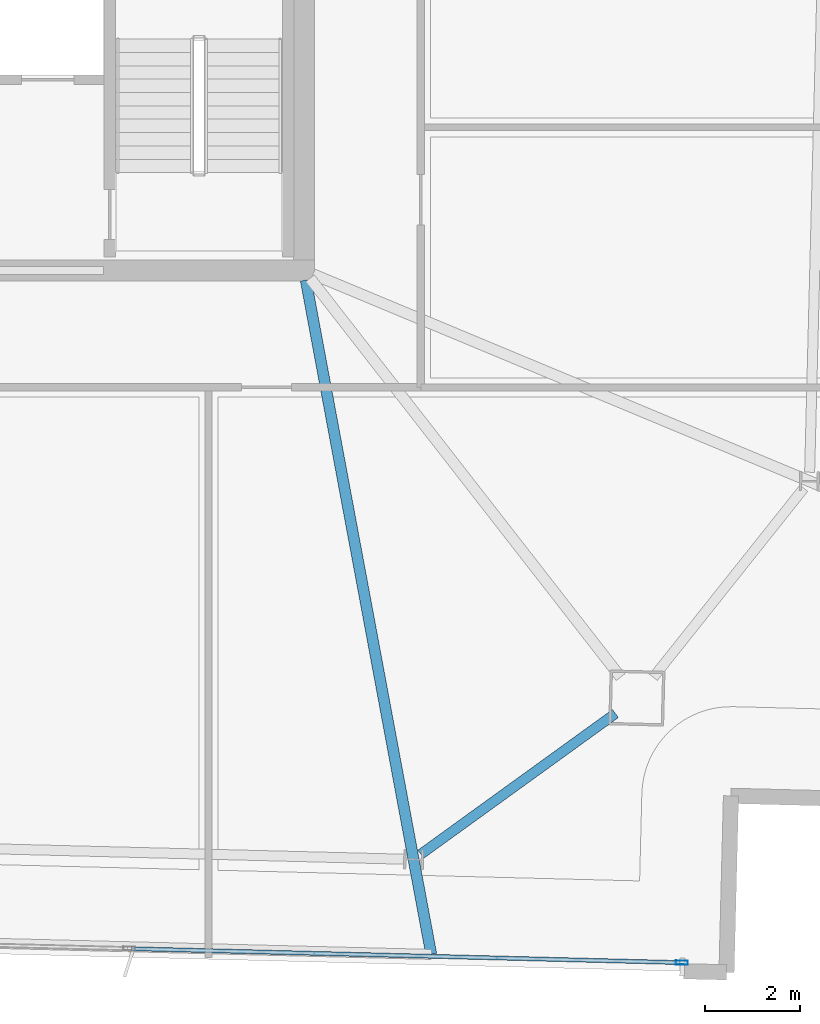
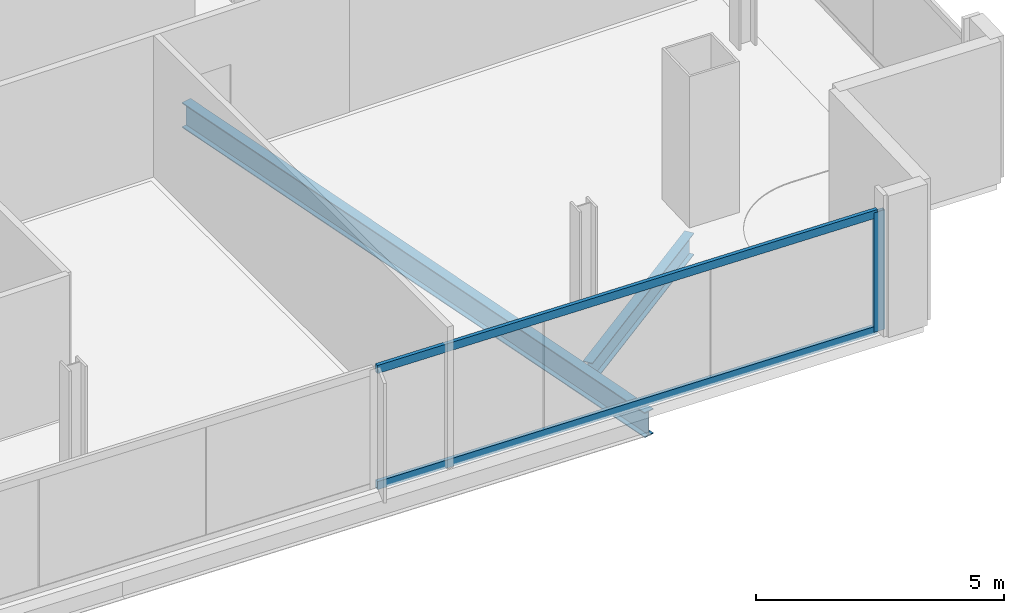
# One storey, part 8 of 25: 3 members, 2 beams, 1 element without a shape of its own.
"""IFC4 building model written with IfcOpenShell, lengths in metres."""

from ifc_helpers import new_model, si_unit, direction, frame, origin, origin_2d, place, context, subcontext, project, spatial, hollow_rectangle, i_section, extrude, material, material_profile, profile_set, type_object, element, aggregate, save


model = new_model("IFC4")

# Units and contexts
model_context = context("Model", 3, precision=1e-05, world=origin(), true_north=direction((0.0, 1.0)))
body_context = subcontext(model_context, "Body", "Model", "MODEL_VIEW")
ifc_project = project(units=[si_unit("LENGTHUNIT", "METRE"), si_unit("AREAUNIT", "SQUARE_METRE"), si_unit("VOLUMEUNIT", "CUBIC_METRE"), si_unit("PLANEANGLEUNIT", "RADIAN"), si_unit("MASSUNIT", "GRAM", prefix="KILO")], contexts=[model_context])

# Site, building, storey
site_placement = place(None, origin())
site = spatial("IfcSite", under=ifc_project, at=site_placement, CompositionType="ELEMENT")
building_placement = place(site_placement, origin())
building = spatial("IfcBuilding", under=site, at=building_placement, Name="Haldenkirk Collegiate Tower", CompositionType="ELEMENT")
storey_placement = place(building_placement, frame((0.0, 0.0, 325.199951171875)))
storey = spatial("IfcBuildingStorey", under=building, at=storey_placement, Name="L82", CompositionType="ELEMENT", Elevation=325.199951171875)

# Beams
ifc_material_1 = material(Name="Steel ASTM A992 Grade 50", Category="steel")
ifc_material_profile_1 = material_profile(ifc_material_1, i_section(OverallWidth=0.22998046875, OverallDepth=0.616943359375, WebThickness=0.01318359375, FlangeThickness=0.022216796875, at=origin_2d()), Name="W24X94")
ifc_profile_set_1 = profile_set([ifc_material_profile_1], Name="Steel ASTM A992 Grade 50")
beam_type_1 = type_object("IfcBeamType", Name="BM-GIRDER-W24X94", PredefinedType="BEAM", material=ifc_profile_set_1)
beam_1_placement = place(storey_placement, frame((47.667236328125, 3.66748046875, -0.568359375), z_axis=(-0.182948004035, 0.983122590433, 0.0), x_axis=(-0.983122590433, -0.182948004035, 0.0)))
element("IfcBeam", 1, at=beam_1_placement, inside=storey, type_object=beam_type_1, Name="L82 primary floor girder 16", PredefinedType="BEAM", context=body_context, shape_type="SweptSolid", body=[
    extrude(i_section(OverallWidth=0.22998046875, OverallDepth=0.616943359375, WebThickness=0.01318359375, FlangeThickness=0.022216796875, at=origin_2d()), origin(), (0.0, 0.0, 1.0), 14.373779296875),
])
ifc_material_profile_2 = material_profile(ifc_material_1, i_section(OverallWidth=0.2099609375, OverallDepth=0.537109375, WebThickness=0.010986328125, FlangeThickness=0.017333984375, at=origin_2d()), Name="W21X68")
ifc_profile_set_2 = profile_set([ifc_material_profile_2], Name="Steel ASTM A992 Grade 50")
beam_type_2 = type_object("IfcBeamType", Name="BM-SPANDREL-W21X68", PredefinedType="SPANDREL", material=ifc_profile_set_2)
beam_2_placement = place(storey_placement, frame((47.44921875, 5.767578125, -0.528564453125), z_axis=(0.810388642646, 0.585892693136, 0.0), x_axis=(-0.585892693136, 0.810388642646, 0.0)))
element("IfcBeam", 2, at=beam_2_placement, inside=storey, type_object=beam_type_2, Name="L82 perimeter spandrel beam 16", PredefinedType="SPANDREL", context=body_context, shape_type="SweptSolid", body=[
    extrude(i_section(OverallWidth=0.2099609375, OverallDepth=0.537109375, WebThickness=0.010986328125, FlangeThickness=0.017333984375, at=origin_2d()), origin(), (0.0, 0.0, 1.0), 5.03076171875),
])

# Curtain wall, members
ifc_material_2 = material(Name="Anodised architectural bronze aluminium", Category="aluminium")
curtain_wall_type = type_object("IfcCurtainWallType", Name="CW-SYS1B-CONVEX-HI", PredefinedType="USERDEFINED", material=ifc_material_2)
curtain_wall_placement = place(storey_placement, origin())
curtain_wall = element("IfcCurtainWall", 3, at=curtain_wall_placement, inside=storey, type_object=curtain_wall_type, Name="L82 Upper tower high-wind convex bronze unitised curtain wall", ObjectType="UNITISED CURTAIN WALL", PredefinedType="USERDEFINED")
ifc_material_profile_3 = material_profile(ifc_material_2, hollow_rectangle(XDim=0.0849609375, YDim=0.25, WallThickness=0.0048828125, at=origin_2d()), Name="CW-MUL-1B")
ifc_profile_set_3 = profile_set([ifc_material_profile_3], Name="Anodised architectural bronze aluminium")
member_type_1 = type_object("IfcMemberType", Name="CW-MUL-1B", PredefinedType="MULLION", material=ifc_profile_set_3)
member_1_placement = place(storey_placement, frame((52.91845703125, 3.49462890625, 0.0), z_axis=(0.0, 0.0, 1.0), x_axis=(-0.025301745011, -0.999679859605, 0.0)))
member_1 = element("IfcMember", 4, at=member_1_placement, type_object=member_type_1, Name="CW-1B mullion 1", PredefinedType="MULLION", context=body_context, shape_type="SweptSolid", body=[
    extrude(hollow_rectangle(XDim=0.0849609375, YDim=0.25, WallThickness=0.0048828125, at=origin_2d()), origin(), (0.0, 0.0, 1.0), 2.947998046875),
])
ifc_material_profile_4 = material_profile(ifc_material_2, hollow_rectangle(XDim=0.0849609375, YDim=0.199951171875, WallThickness=0.0048828125, at=origin_2d()), Name="CW-TRN-1B")
ifc_profile_set_4 = profile_set([ifc_material_profile_4], Name="Anodised architectural bronze aluminium")
member_type_2 = type_object("IfcMemberType", Name="CW-TRN-1B", PredefinedType="USERDEFINED", material=ifc_profile_set_4)
member_2_placement = place(storey_placement, frame((52.8759765625, 3.495849609375, 0.04248046875), z_axis=(-0.999680161549, 0.025289812282, 0.0), x_axis=(-0.025289812282, -0.999680161549, 0.0)))
member_2 = element("IfcMember", 5, at=member_2_placement, type_object=member_type_2, Name="CW-1B transom 1.1", ObjectType="TRANSOM", PredefinedType="USERDEFINED", context=body_context, shape_type="SweptSolid", body=[
    extrude(hollow_rectangle(XDim=0.0849609375, YDim=0.199951171875, WallThickness=0.0048828125, at=origin_2d()), origin(), (0.0, 0.0, 1.0), 11.49755859375),
])
member_3_placement = place(storey_placement, frame((52.8759765625, 3.495849609375, 2.905517578125), z_axis=(-0.999680161549, 0.025289812282, 0.0), x_axis=(-0.025289812282, -0.999680161549, 0.0)))
member_3 = element("IfcMember", 6, at=member_3_placement, type_object=member_type_2, Name="CW-1B transom 1.2", ObjectType="TRANSOM", PredefinedType="USERDEFINED", context=body_context, shape_type="SweptSolid", body=[
    extrude(hollow_rectangle(XDim=0.0849609375, YDim=0.199951171875, WallThickness=0.0048828125, at=origin_2d()), origin(), (0.0, 0.0, 1.0), 11.49755859375),
])
aggregate(curtain_wall, [member_1, member_2, member_3])

save(model, "model.ifc")
